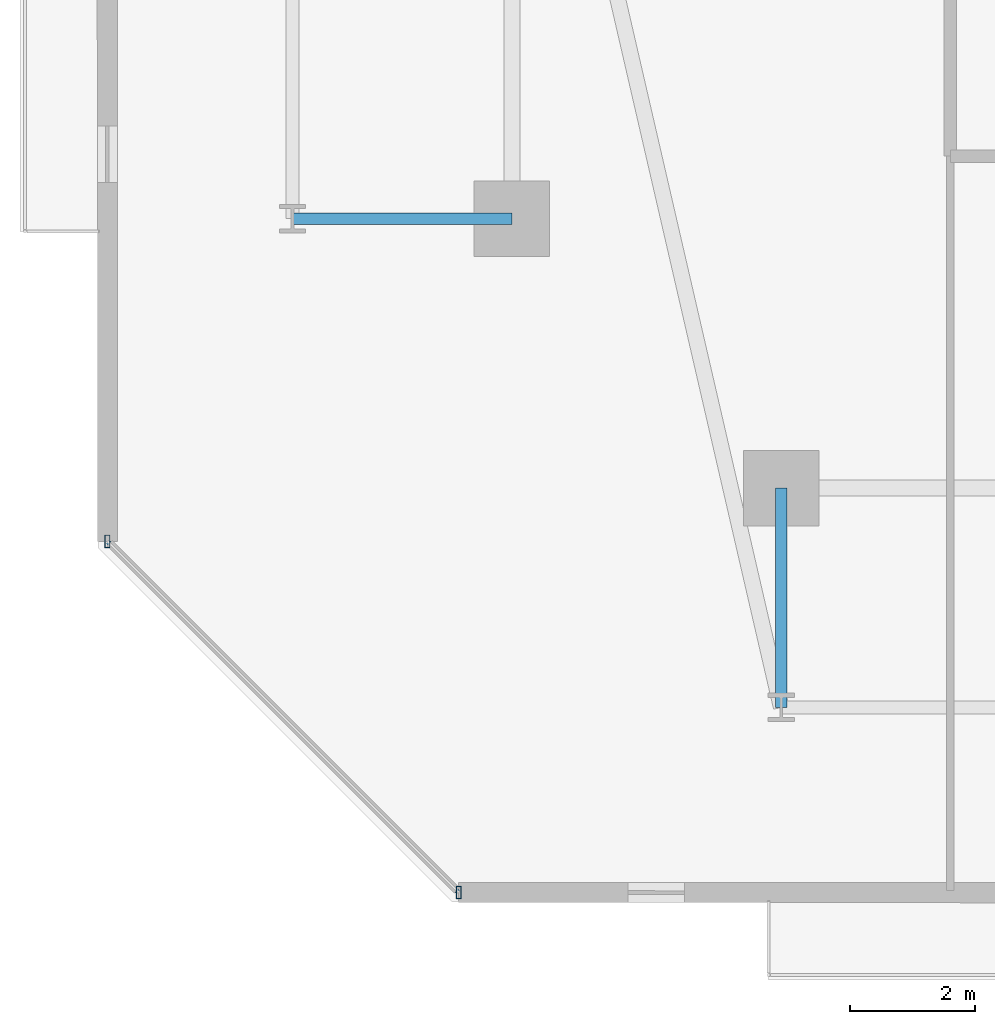
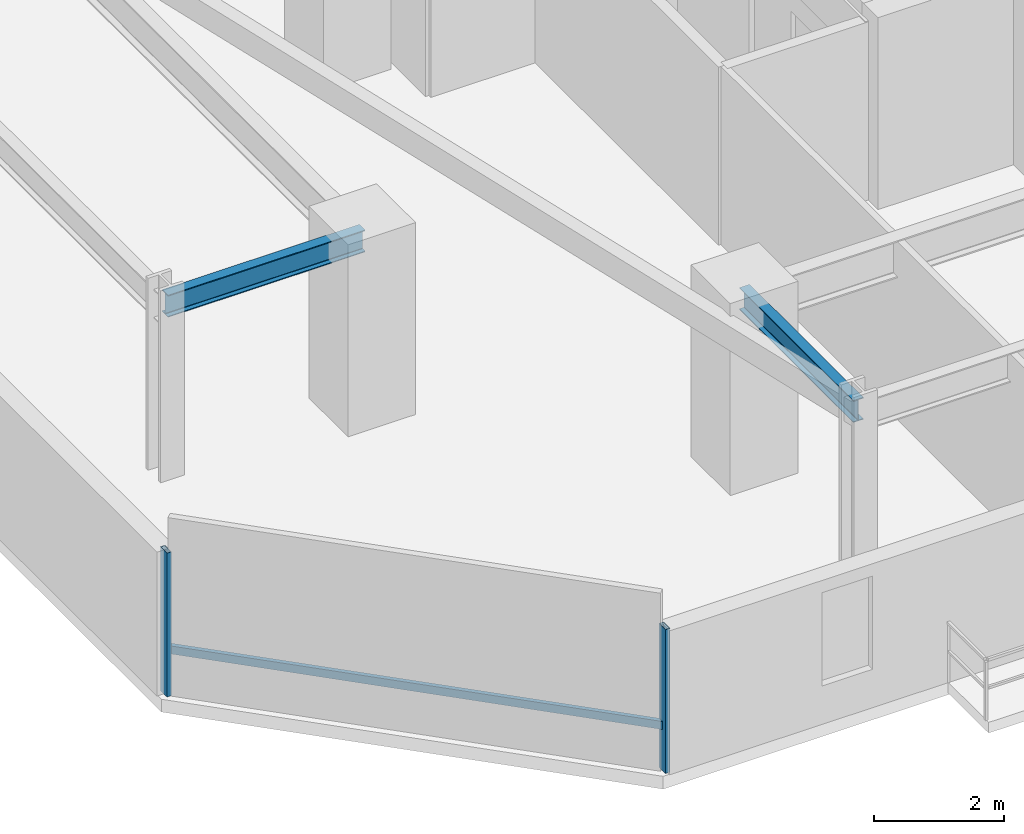
# One storey, part 3 of 31: 3 members, 2 beams, 1 element without a shape of its own.
"""IFC4 building model written with IfcOpenShell, lengths in metres."""

from ifc_helpers import new_model, si_unit, direction, frame, origin, origin_2d, place, context, subcontext, project, spatial, hollow_rectangle, i_section, extrude, material, material_profile, profile_set, type_object, element, aggregate, save


model = new_model("IFC4")

# Units and contexts
model_context = context("Model", 3, precision=1e-05, world=origin(), true_north=direction((0.0, 1.0)))
body_context = subcontext(model_context, "Body", "Model", "MODEL_VIEW")
ifc_project = project(units=[si_unit("LENGTHUNIT", "METRE"), si_unit("AREAUNIT", "SQUARE_METRE"), si_unit("VOLUMEUNIT", "CUBIC_METRE"), si_unit("PLANEANGLEUNIT", "RADIAN"), si_unit("MASSUNIT", "GRAM", prefix="KILO")], contexts=[model_context])

# Site, building, storey
site_placement = place(None, origin())
site = spatial("IfcSite", under=ifc_project, at=site_placement, CompositionType="ELEMENT")
building_placement = place(site_placement, origin())
building = spatial("IfcBuilding", under=site, at=building_placement, Name="Thornwick Lancets Civic Towers", CompositionType="ELEMENT")
storey_placement = place(building_placement, frame((0.0, 0.0, 126.89990234375)))
storey = spatial("IfcBuildingStorey", under=building, at=storey_placement, Name="L33", CompositionType="ELEMENT", Elevation=126.89990234375)

# Beams
ifc_material_1 = material(Name="Steel S355JR", Category="steel")
ifc_material_profile_1 = material_profile(ifc_material_1, i_section(OverallWidth=0.179443359375, OverallDepth=0.412841796875, WebThickness=0.009521484375, FlangeThickness=0.01611328125, FilletRadius=0.01025390625, at=origin_2d()), Name="UKB 406x178x74")
ifc_profile_set_1 = profile_set([ifc_material_profile_1], Name="Steel S355JR")
beam_type = type_object("IfcBeamType", Name="BM_JOIST_406_74", PredefinedType="JOIST", material=ifc_profile_set_1)
for number, where, z_axis, x_axis, name in (
    (1, (12.5, 9.699951171875, 3.15380859375), (0.0, -1.0, 0.0), (1.0, 0.0, 0.0), "BM-RAD-L33-A01"),
    (2, (8.199951171875, 14.0, 3.15380859375), (-1.0, 0.0, 0.0), (0.0, -1.0, 0.0), "BM-RAD-L33-A10"),
):
    element("IfcBeam", number, at=place(storey_placement, frame(where, z_axis=z_axis, x_axis=x_axis)), inside=storey, type_object=beam_type, Name=name, PredefinedType="JOIST", context=body_context, shape_type="SweptSolid", body=[
        extrude(i_section(OverallWidth=0.179443359375, OverallDepth=0.412841796875, WebThickness=0.009521484375, FlangeThickness=0.01611328125, FilletRadius=0.01025390625, at=origin_2d()), origin(), (0.0, 0.0, 1.0), 3.5),
    ])

# Curtain wall, members
ifc_material_2 = material(Name="Mid-zone chamfered-corner unitised glass curtain wall", Category="glass")
curtain_wall_type = type_object("IfcCurtainWallType", Name="CW_SYS_04", PredefinedType="NOTDEFINED", material=ifc_material_2)
curtain_wall_placement = place(storey_placement, origin())
curtain_wall = element("IfcCurtainWall", 3, at=curtain_wall_placement, inside=storey, type_object=curtain_wall_type, Name="L33 Curtain Wall CW-L33-A-E7", PredefinedType="NOTDEFINED")
ifc_material_3 = material(Name="Thermally broken bronze aluminium S355", Category="steel")
ifc_material_profile_2 = material_profile(ifc_material_3, hollow_rectangle(XDim=0.080078125, YDim=0.199951171875, WallThickness=0.006103515625, at=origin_2d()), Name="RHS 200x80x6")
ifc_profile_set_2 = profile_set([ifc_material_profile_2], Name="Thermally broken bronze aluminium S355")
member_type_1 = type_object("IfcMemberType", Name="CW_MUL_200", PredefinedType="MULLION", material=ifc_profile_set_2)
member_1_placement = place(storey_placement, frame((1.745361328125, 8.85205078125, 0.0), z_axis=(0.0, 0.0, 1.0), x_axis=(1.0, 0.0, 0.0)))
member_1 = element("IfcMember", 4, at=member_1_placement, type_object=member_type_1, Name="CW-L33-A-E7 Mullion 0", PredefinedType="MULLION", context=body_context, shape_type="SweptSolid", body=[
    extrude(hollow_rectangle(XDim=0.080078125, YDim=0.199951171875, WallThickness=0.006103515625, at=origin_2d()), origin(), (0.0, 0.0, 1.0), 2.7001953125),
])
member_2_placement = place(storey_placement, frame((7.35205078125, 3.245361328125, 0.0), z_axis=(0.0, 0.0, 1.0), x_axis=(1.0, 0.0, 0.0)))
member_2 = element("IfcMember", 5, at=member_2_placement, type_object=member_type_1, Name="CW-L33-A-E7 Mullion 1", PredefinedType="MULLION", context=body_context, shape_type="SweptSolid", body=[
    extrude(hollow_rectangle(XDim=0.080078125, YDim=0.199951171875, WallThickness=0.006103515625, at=origin_2d()), origin(), (0.0, 0.0, 1.0), 2.7001953125),
])
ifc_material_profile_3 = material_profile(ifc_material_3, hollow_rectangle(XDim=0.074951171875, YDim=0.14990234375, WallThickness=0.0048828125, at=origin_2d()), Name="RHS 150x75x5")
ifc_profile_set_3 = profile_set([ifc_material_profile_3], Name="Thermally broken bronze aluminium S355")
member_type_2 = type_object("IfcMemberType", Name="CW_TRN_150", PredefinedType="USERDEFINED", material=ifc_profile_set_3)
member_3_placement = place(storey_placement, frame((1.759521484375, 8.837890625, 0.85009765625), z_axis=(0.707106781187, -0.707106781187, 0.0), x_axis=(0.707106781187, 0.707106781187, 0.0)))
member_3 = element("IfcMember", 6, at=member_3_placement, type_object=member_type_2, Name="CW-L33-A-E7 Transom 0", ObjectType="TRANSOM", PredefinedType="USERDEFINED", context=body_context, shape_type="SweptSolid", body=[
    extrude(hollow_rectangle(XDim=0.074951171875, YDim=0.14990234375, WallThickness=0.0048828125, at=origin_2d()), origin(), (0.0, 0.0, 1.0), 7.888916015625),
])
aggregate(curtain_wall, [member_1, member_2, member_3])

save(model, "model.ifc")
